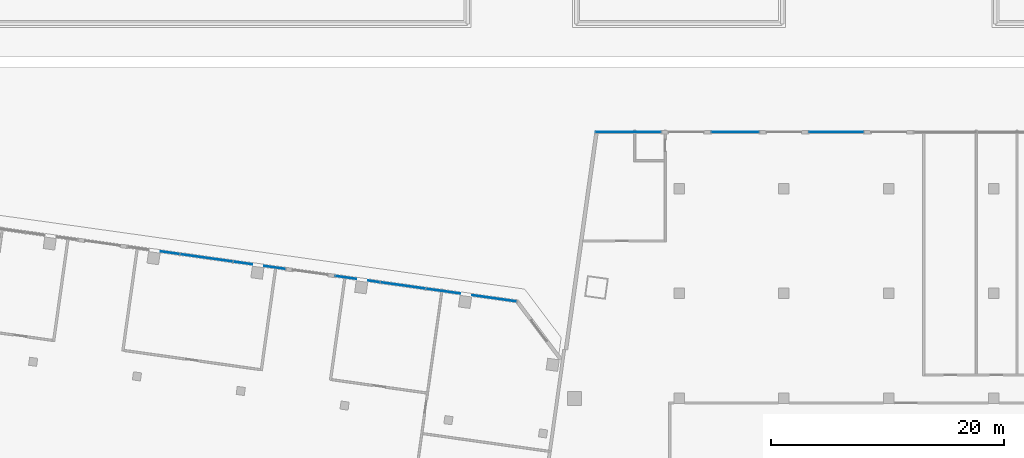
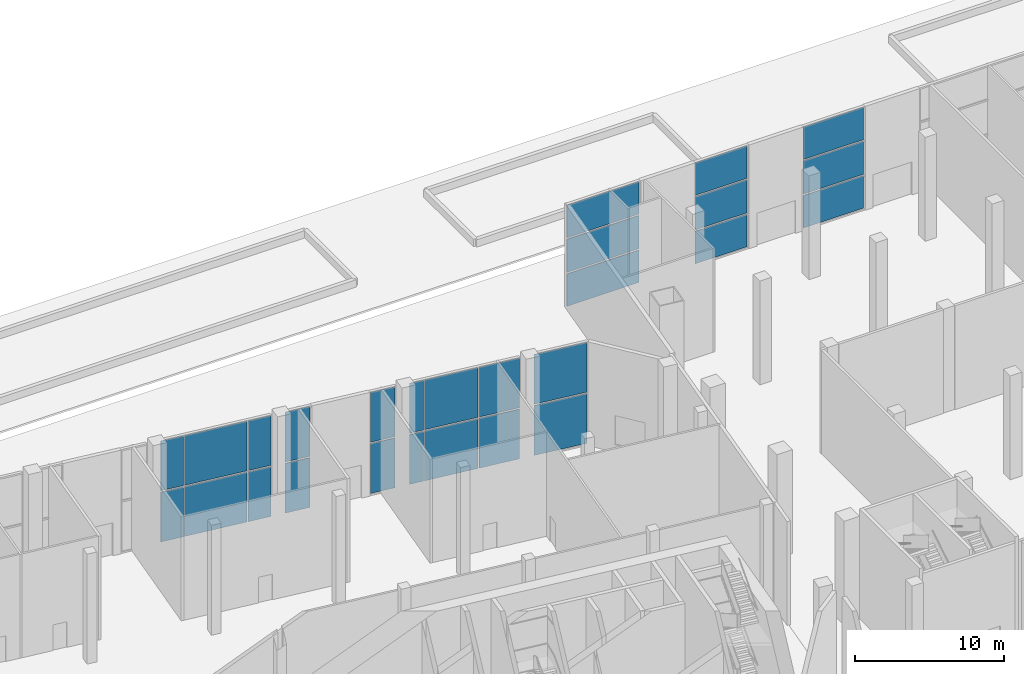
# One storey, part 11 of 34: 27 plates, 5 elements without a shape of their own.
"""IFC4 building model written with IfcOpenShell, lengths in metres."""

from ifc_helpers import new_model, si_unit, direction, frame, origin, origin_2d, place, context, subcontext, project, spatial, rectangle, extrude, material, layer, layer_set, type_object, element, aggregate, save


model = new_model("IFC4")

# Units and contexts
model_context = context("Model", 3, precision=1e-05, world=origin(), true_north=direction((0.0, 1.0)))
body_context = subcontext(model_context, "Body", "Model", "MODEL_VIEW")
ifc_project = project(units=[si_unit("LENGTHUNIT", "METRE"), si_unit("AREAUNIT", "SQUARE_METRE"), si_unit("VOLUMEUNIT", "CUBIC_METRE"), si_unit("PLANEANGLEUNIT", "RADIAN"), si_unit("MASSUNIT", "GRAM", prefix="KILO")], contexts=[model_context])

# Site, building, storey
site_placement = place(None, origin())
site = spatial("IfcSite", under=ifc_project, at=site_placement, CompositionType="ELEMENT")
building_placement = place(site_placement, origin())
building = spatial("IfcBuilding", under=site, at=building_placement, Name="Mirante Cascada Hotel Towers", CompositionType="ELEMENT")
storey_placement = place(building_placement, origin())
storey = spatial("IfcBuildingStorey", under=building, at=storey_placement, Name="L00", CompositionType="ELEMENT", Elevation=0.0)

# Curtain wall, plates
ifc_material_1 = material(Name="Aluminium mullion and transom frame with clear laminated glass", Category="aluminium")
curtain_wall_type = type_object("IfcCurtainWallType", Name="Podium curtain wall ECW3", PredefinedType="NOTDEFINED", material=ifc_material_1)
curtain_wall_1_placement = place(storey_placement, origin())
curtain_wall_1 = element("IfcCurtainWall", 1, at=curtain_wall_1_placement, inside=storey, type_object=curtain_wall_type, Name="Podium curtain wall L00 run front.5", PredefinedType="NOTDEFINED")
ifc_material_2 = material(Name="Clear laminated glass", Category="glass")
ifc_layer = layer(ifc_material_2, 0.04)
ifc_layer_set = layer_set([ifc_layer], Name="ECW3 glass panel 40")
plate_type = type_object("IfcPlateType", Name="ECW3 glass panel 40", PredefinedType="CURTAIN_PANEL", material=ifc_layer_set)
plate_1_placement = place(storey_placement, frame((-61.6993, 21.4903, 0.12), z_axis=(0.0, 0.0, 1.0), x_axis=(0.9902681, -0.1391731, 0.0)))
plate_1 = element("IfcPlate", 2, at=plate_1_placement, type_object=plate_type, Name="ECW3 panel 1", PredefinedType="CURTAIN_PANEL", context=body_context, shape_type="SweptSolid", body=[
    extrude(rectangle(XDim=1.64, YDim=0.04, at=origin_2d()), origin(), (0.0, 0.0, 1.0), 4.07),
])
plate_2_placement = place(storey_placement, frame((-61.6993, 21.4903, 4.31), z_axis=(0.0, 0.0, 1.0), x_axis=(0.9902681, -0.1391731, 0.0)))
plate_2 = element("IfcPlate", 3, at=plate_2_placement, type_object=plate_type, Name="ECW3 panel 1", PredefinedType="CURTAIN_PANEL", context=body_context, shape_type="SweptSolid", body=[
    extrude(rectangle(XDim=1.64, YDim=0.04, at=origin_2d()), origin(), (0.0, 0.0, 1.0), 4.07),
])
plate_3_placement = place(storey_placement, frame((-58.57, 21.0505, 0.12), z_axis=(0.0, 0.0, 1.0), x_axis=(0.9902681, -0.1391731, 0.0)))
plate_3 = element("IfcPlate", 4, at=plate_3_placement, type_object=plate_type, Name="ECW3 panel 2", PredefinedType="CURTAIN_PANEL", context=body_context, shape_type="SweptSolid", body=[
    extrude(rectangle(XDim=4.52, YDim=0.04, at=origin_2d()), origin(), (0.0, 0.0, 1.0), 4.07),
])
plate_4_placement = place(storey_placement, frame((-58.57, 21.0505, 4.31), z_axis=(0.0, 0.0, 1.0), x_axis=(0.9902681, -0.1391731, 0.0)))
plate_4 = element("IfcPlate", 5, at=plate_4_placement, type_object=plate_type, Name="ECW3 panel 2", PredefinedType="CURTAIN_PANEL", context=body_context, shape_type="SweptSolid", body=[
    extrude(rectangle(XDim=4.52, YDim=0.04, at=origin_2d()), origin(), (0.0, 0.0, 1.0), 4.07),
])
plate_5_placement = place(storey_placement, frame((-55.4408, 20.6107, 0.12), z_axis=(0.0, 0.0, 1.0), x_axis=(0.9902681, -0.1391731, 0.0)))
plate_5 = element("IfcPlate", 6, at=plate_5_placement, type_object=plate_type, Name="ECW3 panel 3", PredefinedType="CURTAIN_PANEL", context=body_context, shape_type="SweptSolid", body=[
    extrude(rectangle(XDim=1.64, YDim=0.04, at=origin_2d()), origin(), (0.0, 0.0, 1.0), 4.07),
])
plate_6_placement = place(storey_placement, frame((-55.4408, 20.6107, 4.31), z_axis=(0.0, 0.0, 1.0), x_axis=(0.9902681, -0.1391731, 0.0)))
plate_6 = element("IfcPlate", 7, at=plate_6_placement, type_object=plate_type, Name="ECW3 panel 3", PredefinedType="CURTAIN_PANEL", context=body_context, shape_type="SweptSolid", body=[
    extrude(rectangle(XDim=1.64, YDim=0.04, at=origin_2d()), origin(), (0.0, 0.0, 1.0), 4.07),
])
plate_7_placement = place(storey_placement, frame((-52.7076, 20.2266, 0.12), z_axis=(0.0, 0.0, 1.0), x_axis=(0.9902681, -0.1391731, 0.0)))
plate_7 = element("IfcPlate", 8, at=plate_7_placement, type_object=plate_type, Name="ECW3 panel 3", PredefinedType="CURTAIN_PANEL", context=body_context, shape_type="SweptSolid", body=[
    extrude(rectangle(XDim=1.8, YDim=0.04, at=origin_2d()), origin(), (0.0, 0.0, 1.0), 4.07),
])
plate_8_placement = place(storey_placement, frame((-52.7076, 20.2266, 4.31), z_axis=(0.0, 0.0, 1.0), x_axis=(0.9902681, -0.1391731, 0.0)))
plate_8 = element("IfcPlate", 9, at=plate_8_placement, type_object=plate_type, Name="ECW3 panel 3", PredefinedType="CURTAIN_PANEL", context=body_context, shape_type="SweptSolid", body=[
    extrude(rectangle(XDim=1.8, YDim=0.04, at=origin_2d()), origin(), (0.0, 0.0, 1.0), 4.07),
])
aggregate(curtain_wall_1, [plate_1, plate_2, plate_3, plate_4, plate_5, plate_6, plate_7, plate_8])

curtain_wall_2_placement = place(storey_placement, origin())
curtain_wall_2 = element("IfcCurtainWall", 10, at=curtain_wall_2_placement, inside=storey, type_object=curtain_wall_type, Name="Podium curtain wall L00 run front.7", PredefinedType="NOTDEFINED")
plate_9_placement = place(storey_placement, frame((-46.6076, 19.3693, 0.12), z_axis=(0.0, 0.0, 1.0), x_axis=(0.9902681, -0.1391731, 0.0)))
plate_9 = element("IfcPlate", 11, at=plate_9_placement, type_object=plate_type, Name="ECW3 panel 1", PredefinedType="CURTAIN_PANEL", context=body_context, shape_type="SweptSolid", body=[
    extrude(rectangle(XDim=1.8, YDim=0.04, at=origin_2d()), origin(), (0.0, 0.0, 1.0), 4.07),
])
plate_10_placement = place(storey_placement, frame((-46.6076, 19.3693, 4.31), z_axis=(0.0, 0.0, 1.0), x_axis=(0.9902681, -0.1391731, 0.0)))
plate_10 = element("IfcPlate", 12, at=plate_10_placement, type_object=plate_type, Name="ECW3 panel 1", PredefinedType="CURTAIN_PANEL", context=body_context, shape_type="SweptSolid", body=[
    extrude(rectangle(XDim=1.8, YDim=0.04, at=origin_2d()), origin(), (0.0, 0.0, 1.0), 4.07),
])
plate_11_placement = place(storey_placement, frame((-44.1916, 19.0297, 0.12), z_axis=(0.0, 0.0, 1.0), x_axis=(0.9902681, -0.1391731, 0.0)))
plate_11 = element("IfcPlate", 13, at=plate_11_placement, type_object=plate_type, Name="ECW3 panel 1", PredefinedType="CURTAIN_PANEL", context=body_context, shape_type="SweptSolid", body=[
    extrude(rectangle(XDim=0.9995, YDim=0.04, at=origin_2d()), origin(), (0.0, 0.0, 1.0), 4.07),
])
plate_12_placement = place(storey_placement, frame((-44.1916, 19.0297, 4.31), z_axis=(0.0, 0.0, 1.0), x_axis=(0.9902681, -0.1391731, 0.0)))
plate_12 = element("IfcPlate", 14, at=plate_12_placement, type_object=plate_type, Name="ECW3 panel 1", PredefinedType="CURTAIN_PANEL", context=body_context, shape_type="SweptSolid", body=[
    extrude(rectangle(XDim=0.9995, YDim=0.04, at=origin_2d()), origin(), (0.0, 0.0, 1.0), 4.07),
])
plate_13_placement = place(storey_placement, frame((-41.6967, 18.6791, 0.12), z_axis=(0.0, 0.0, 1.0), x_axis=(0.9902681, -0.1391731, 0.0)))
plate_13 = element("IfcPlate", 15, at=plate_13_placement, type_object=plate_type, Name="ECW3 panel 2", PredefinedType="CURTAIN_PANEL", context=body_context, shape_type="SweptSolid", body=[
    extrude(rectangle(XDim=3.8795, YDim=0.04, at=origin_2d()), origin(), (0.0, 0.0, 1.0), 4.07),
])
plate_14_placement = place(storey_placement, frame((-41.6967, 18.6791, 4.31), z_axis=(0.0, 0.0, 1.0), x_axis=(0.9902681, -0.1391731, 0.0)))
plate_14 = element("IfcPlate", 16, at=plate_14_placement, type_object=plate_type, Name="ECW3 panel 2", PredefinedType="CURTAIN_PANEL", context=body_context, shape_type="SweptSolid", body=[
    extrude(rectangle(XDim=3.8795, YDim=0.04, at=origin_2d()), origin(), (0.0, 0.0, 1.0), 4.07),
])
plate_15_placement = place(storey_placement, frame((-38.2503, 18.1947, 0.12), z_axis=(0.0, 0.0, 1.0), x_axis=(0.9902681, -0.1391731, 0.0)))
plate_15 = element("IfcPlate", 17, at=plate_15_placement, type_object=plate_type, Name="ECW3 panel 3", PredefinedType="CURTAIN_PANEL", context=body_context, shape_type="SweptSolid", body=[
    extrude(rectangle(XDim=2.9211, YDim=0.04, at=origin_2d()), origin(), (0.0, 0.0, 1.0), 4.07),
])
plate_16_placement = place(storey_placement, frame((-38.2503, 18.1947, 4.31), z_axis=(0.0, 0.0, 1.0), x_axis=(0.9902681, -0.1391731, 0.0)))
plate_16 = element("IfcPlate", 18, at=plate_16_placement, type_object=plate_type, Name="ECW3 panel 3", PredefinedType="CURTAIN_PANEL", context=body_context, shape_type="SweptSolid", body=[
    extrude(rectangle(XDim=2.9211, YDim=0.04, at=origin_2d()), origin(), (0.0, 0.0, 1.0), 4.07),
])
plate_17_placement = place(storey_placement, frame((-33.8738, 17.5797, 0.12), z_axis=(0.0, 0.0, 1.0), x_axis=(0.9902681, -0.1391731, 0.0)))
plate_17 = element("IfcPlate", 19, at=plate_17_placement, type_object=plate_type, Name="ECW3 panel 4", PredefinedType="CURTAIN_PANEL", context=body_context, shape_type="SweptSolid", body=[
    extrude(rectangle(XDim=3.8379, YDim=0.04, at=origin_2d()), origin(), (0.0, 0.0, 1.0), 4.07),
])
plate_18_placement = place(storey_placement, frame((-33.8738, 17.5797, 4.31), z_axis=(0.0, 0.0, 1.0), x_axis=(0.9902681, -0.1391731, 0.0)))
plate_18 = element("IfcPlate", 20, at=plate_18_placement, type_object=plate_type, Name="ECW3 panel 4", PredefinedType="CURTAIN_PANEL", context=body_context, shape_type="SweptSolid", body=[
    extrude(rectangle(XDim=3.8379, YDim=0.04, at=origin_2d()), origin(), (0.0, 0.0, 1.0), 4.07),
])
aggregate(curtain_wall_2, [plate_9, plate_10, plate_11, plate_12, plate_13, plate_14, plate_15, plate_16, plate_17, plate_18])

curtain_wall_3_placement = place(storey_placement, origin())
curtain_wall_3 = element("IfcCurtainWall", 21, at=curtain_wall_3_placement, inside=storey, type_object=curtain_wall_type, Name="Podium curtain wall L00 run 4.5", PredefinedType="NOTDEFINED")
plate_19_placement = place(storey_placement, frame((-4.5, 31.85, 0.12), z_axis=(0.0, 0.0, 1.0), x_axis=(-1.0, 0.0, 0.0)))
plate_19 = element("IfcPlate", 22, at=plate_19_placement, type_object=plate_type, Name="ECW3 panel 1", PredefinedType="CURTAIN_PANEL", context=body_context, shape_type="SweptSolid", body=[
    extrude(rectangle(XDim=4.64, YDim=0.04, at=origin_2d()), origin(), (0.0, 0.0, 1.0), 2.6533),
])
plate_20_placement = place(storey_placement, frame((-4.5, 31.85, 2.8934), z_axis=(0.0, 0.0, 1.0), x_axis=(-1.0, 0.0, 0.0)))
plate_20 = element("IfcPlate", 23, at=plate_20_placement, type_object=plate_type, Name="ECW3 panel 1", PredefinedType="CURTAIN_PANEL", context=body_context, shape_type="SweptSolid", body=[
    extrude(rectangle(XDim=4.64, YDim=0.04, at=origin_2d()), origin(), (0.0, 0.0, 1.0), 2.7133),
])
plate_21_placement = place(storey_placement, frame((-4.5, 31.85, 5.7266), z_axis=(0.0, 0.0, 1.0), x_axis=(-1.0, 0.0, 0.0)))
plate_21 = element("IfcPlate", 24, at=plate_21_placement, type_object=plate_type, Name="ECW3 panel 1", PredefinedType="CURTAIN_PANEL", context=body_context, shape_type="SweptSolid", body=[
    extrude(rectangle(XDim=4.64, YDim=0.04, at=origin_2d()), origin(), (0.0, 0.0, 1.0), 2.6533),
])
aggregate(curtain_wall_3, [plate_19, plate_20, plate_21])

curtain_wall_4_placement = place(storey_placement, origin())
curtain_wall_4 = element("IfcCurtainWall", 25, at=curtain_wall_4_placement, inside=storey, type_object=curtain_wall_type, Name="Podium curtain wall L00 run 4.7", PredefinedType="NOTDEFINED")
plate_22_placement = place(storey_placement, frame((-13.2, 31.85, 0.12), z_axis=(0.0, 0.0, 1.0), x_axis=(-1.0, 0.0, 0.0)))
plate_22 = element("IfcPlate", 26, at=plate_22_placement, type_object=plate_type, Name="ECW3 panel 1", PredefinedType="CURTAIN_PANEL", context=body_context, shape_type="SweptSolid", body=[
    extrude(rectangle(XDim=4.04, YDim=0.04, at=origin_2d()), origin(), (0.0, 0.0, 1.0), 2.6533),
])
plate_23_placement = place(storey_placement, frame((-13.2, 31.85, 2.8934), z_axis=(0.0, 0.0, 1.0), x_axis=(-1.0, 0.0, 0.0)))
plate_23 = element("IfcPlate", 27, at=plate_23_placement, type_object=plate_type, Name="ECW3 panel 1", PredefinedType="CURTAIN_PANEL", context=body_context, shape_type="SweptSolid", body=[
    extrude(rectangle(XDim=4.04, YDim=0.04, at=origin_2d()), origin(), (0.0, 0.0, 1.0), 2.7133),
])
plate_24_placement = place(storey_placement, frame((-13.2, 31.85, 5.7266), z_axis=(0.0, 0.0, 1.0), x_axis=(-1.0, 0.0, 0.0)))
plate_24 = element("IfcPlate", 28, at=plate_24_placement, type_object=plate_type, Name="ECW3 panel 1", PredefinedType="CURTAIN_PANEL", context=body_context, shape_type="SweptSolid", body=[
    extrude(rectangle(XDim=4.04, YDim=0.04, at=origin_2d()), origin(), (0.0, 0.0, 1.0), 2.6533),
])
aggregate(curtain_wall_4, [plate_22, plate_23, plate_24])

curtain_wall_5_placement = place(storey_placement, origin())
curtain_wall_5 = element("IfcCurtainWall", 29, at=curtain_wall_5_placement, inside=storey, type_object=curtain_wall_type, Name="Podium curtain wall L00 run 4.9", PredefinedType="NOTDEFINED")
plate_25_placement = place(storey_placement, frame((-22.3608, 31.85, 0.12), z_axis=(0.0, 0.0, 1.0), x_axis=(-1.0, 0.0, 0.0)))
plate_25 = element("IfcPlate", 30, at=plate_25_placement, type_object=plate_type, Name="ECW3 panel 1", PredefinedType="CURTAIN_PANEL", context=body_context, shape_type="SweptSolid", body=[
    extrude(rectangle(XDim=5.5616, YDim=0.04, at=origin_2d()), origin(), (0.0, 0.0, 1.0), 2.6533),
])
plate_26_placement = place(storey_placement, frame((-22.3608, 31.85, 2.8934), z_axis=(0.0, 0.0, 1.0), x_axis=(-1.0, 0.0, 0.0)))
plate_26 = element("IfcPlate", 31, at=plate_26_placement, type_object=plate_type, Name="ECW3 panel 1", PredefinedType="CURTAIN_PANEL", context=body_context, shape_type="SweptSolid", body=[
    extrude(rectangle(XDim=5.5616, YDim=0.04, at=origin_2d()), origin(), (0.0, 0.0, 1.0), 2.7133),
])
plate_27_placement = place(storey_placement, frame((-22.3608, 31.85, 5.7266), z_axis=(0.0, 0.0, 1.0), x_axis=(-1.0, 0.0, 0.0)))
plate_27 = element("IfcPlate", 32, at=plate_27_placement, type_object=plate_type, Name="ECW3 panel 1", PredefinedType="CURTAIN_PANEL", context=body_context, shape_type="SweptSolid", body=[
    extrude(rectangle(XDim=5.5616, YDim=0.04, at=origin_2d()), origin(), (0.0, 0.0, 1.0), 2.6533),
])
aggregate(curtain_wall_5, [plate_25, plate_26, plate_27])

save(model, "model.ifc")
